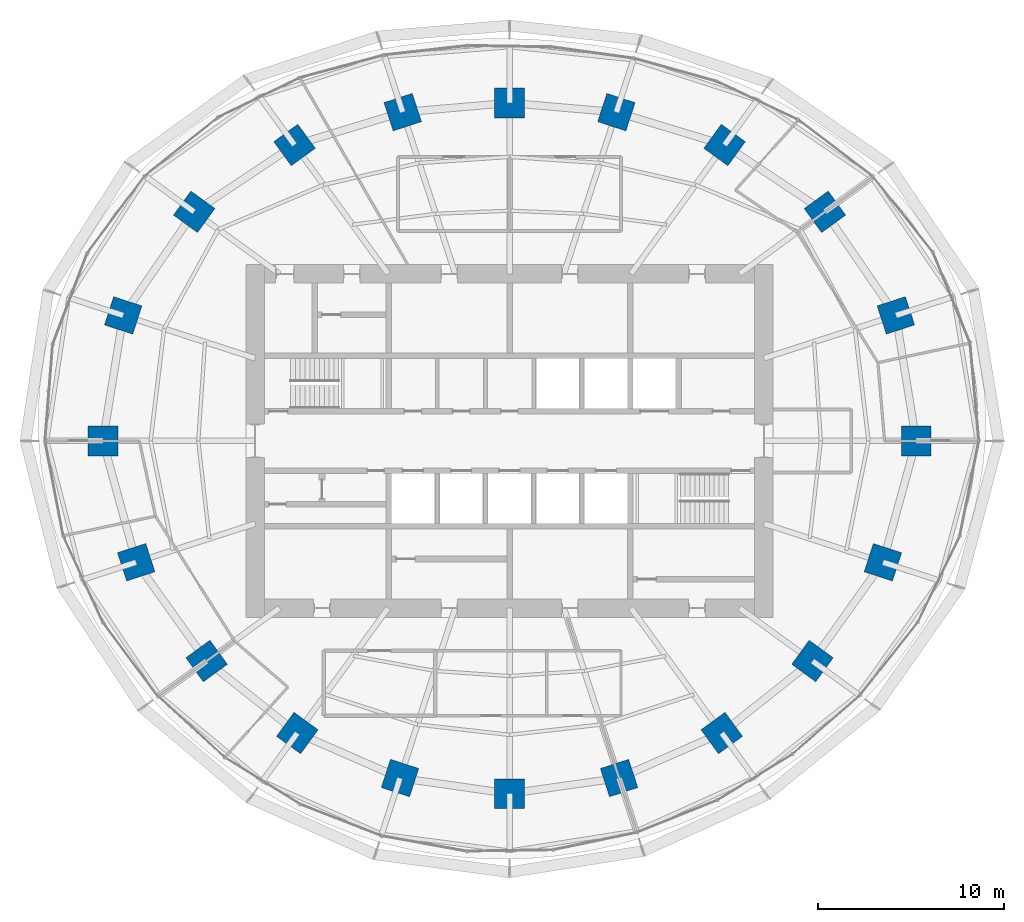
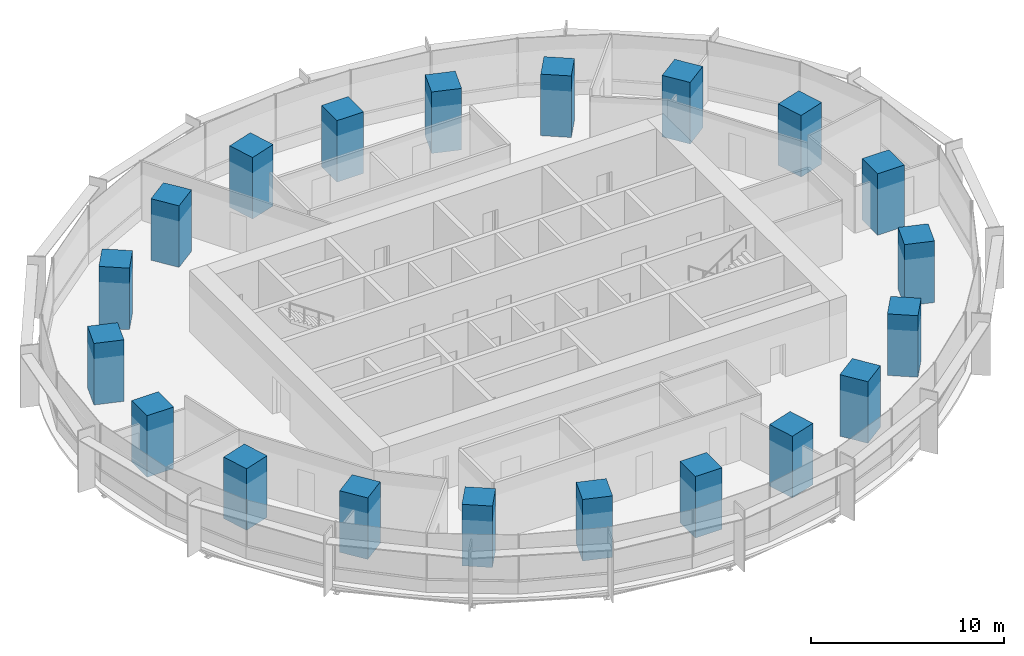
# One storey, part 1 of 14: 20 columns.
"""IFC4 building model written with IfcOpenShell, lengths in metres."""

from ifc_helpers import new_model, si_unit, direction, frame, origin, origin_2d, place, context, subcontext, project, spatial, rectangle, extrude, material, material_profile, profile_set, type_object, element, save


model = new_model("IFC4")

# Units and contexts
model_context = context("Model", 3, precision=1e-05, world=origin(), true_north=direction((0.0, 1.0)))
body_context = subcontext(model_context, "Body", "Model", "MODEL_VIEW")
ifc_project = project(units=[si_unit("LENGTHUNIT", "METRE"), si_unit("AREAUNIT", "SQUARE_METRE"), si_unit("VOLUMEUNIT", "CUBIC_METRE"), si_unit("PLANEANGLEUNIT", "RADIAN"), si_unit("MASSUNIT", "GRAM", prefix="KILO")], contexts=[model_context])

# Site, building, storey
site_placement = place(None, origin())
site = spatial("IfcSite", under=ifc_project, at=site_placement, CompositionType="ELEMENT")
building_placement = place(site_placement, origin())
building = spatial("IfcBuilding", under=site, at=building_placement, Name="Marramba Exchange Tower", CompositionType="ELEMENT")
storey_placement = place(building_placement, frame((0.0, 0.0, 100.199951171875)))
storey = spatial("IfcBuildingStorey", under=building, at=storey_placement, Name="L23", CompositionType="ELEMENT", Elevation=100.199951171875)

# Columns
ifc_material = material(Name="Concrete N50", Category="concrete")
ifc_material_profile = material_profile(ifc_material, rectangle(XDim=1.60009765625, YDim=1.60009765625, at=origin_2d()), Name="RC 1600x1600")
ifc_profile_set = profile_set([ifc_material_profile], Name="Concrete N50")
column_type = type_object("IfcColumnType", Name="Perimeter column RC 1600x1600 N50", PredefinedType="COLUMN", material=ifc_profile_set)
for number, where, z_axis, x_axis, name in (
    (1, (21.89990234375, 0.0, 0.0), (0.0, 0.0, 1.0), (1.0, 0.0, 0.0), "Column TC01 L23"),
    (2, (20.808349609375, 6.760986328125, 0.0), (0.0, 0.0, 1.0), (0.951056516295, 0.309016994375, 0.0), "Column TC02 L23"),
    (3, (16.98583984375, 12.3408203125, 0.0), (0.0, 0.0, 1.0), (0.809016994375, 0.587785252292, 0.0), "Column TC03 L23"),
    (4, (11.581298828125, 15.9404296875, 0.0), (0.0, 0.0, 1.0), (0.587785252292, 0.809016994375, 0.0), "Column TC04 L23"),
    (5, (5.75390625, 17.70849609375, 0.0), (0.0, 0.0, 1.0), (0.309016994375, 0.951056516295, 0.0), "Column TC05 L23"),
    (6, (0.0, 18.2041015625, 0.0), (0.0, 0.0, 1.0), (0.0, 1.0, 0.0), "Column TC06 L23"),
    (7, (-5.75390625, 17.70849609375, 0.0), (0.0, 0.0, 1.0), (-0.309016994375, 0.951056516295, 0.0), "Column TC07 L23"),
    (8, (-11.581298828125, 15.9404296875, 0.0), (0.0, 0.0, 1.0), (-0.587785252292, 0.809016994375, 0.0), "Column TC08 L23"),
    (9, (-16.98583984375, 12.3408203125, 0.0), (0.0, 0.0, 1.0), (-0.809016994375, 0.587785252292, 0.0), "Column TC09 L23"),
    (10, (-20.808349609375, 6.760986328125, 0.0), (0.0, 0.0, 1.0), (-0.951056516295, 0.309016994375, 0.0), "Column TC10 L23"),
    (11, (-21.89990234375, 0.0, 0.0), (0.0, 0.0, 1.0), (-1.0, 0.0, 0.0), "Column TC11 L23"),
    (12, (-20.109375, -6.533935546875, 0.0), (0.0, 0.0, 1.0), (-0.951056516295, -0.309016994375, 0.0), "Column TC12 L23"),
    (13, (-16.3154296875, -11.853759765625, 0.0), (0.0, 0.0, 1.0), (-0.809016994375, -0.587785252292, 0.0), "Column TC13 L23"),
    (14, (-11.430419921875, -15.732666015625, 0.0), (0.0, 0.0, 1.0), (-0.587785252292, -0.809016994375, 0.0), "Column TC14 L23"),
    (15, (-5.899658203125, -18.156982421875, 0.0), (0.0, 0.0, 1.0), (-0.309016994375, -0.951056516295, 0.0), "Column TC15 L23"),
    (16, (0.0, -18.99609375, 0.0), (0.0, 0.0, 1.0), (0.0, -1.0, 0.0), "Column TC16 L23"),
    (17, (5.899658203125, -18.156982421875, 0.0), (0.0, 0.0, 1.0), (0.309016994375, -0.951056516295, 0.0), "Column TC17 L23"),
    (18, (11.430419921875, -15.732666015625, 0.0), (0.0, 0.0, 1.0), (0.587785252292, -0.809016994375, 0.0), "Column TC18 L23"),
    (19, (16.3154296875, -11.853759765625, 0.0), (0.0, 0.0, 1.0), (0.809016994375, -0.587785252292, 0.0), "Column TC19 L23"),
    (20, (20.109375, -6.533935546875, 0.0), (0.0, 0.0, 1.0), (0.951056516295, -0.309016994375, 0.0), "Column TC20 L23"),
):
    element("IfcColumn", number, at=place(storey_placement, frame(where, z_axis=z_axis, x_axis=x_axis)), inside=storey, type_object=column_type, Name=name, PredefinedType="COLUMN", context=body_context, shape_type="SweptSolid", body=[
        extrude(rectangle(XDim=1.60009765625, YDim=1.60009765625, at=origin_2d()), origin(), (0.0, 0.0, 1.0), 3.900146484375),
    ])

save(model, "model.ifc")
